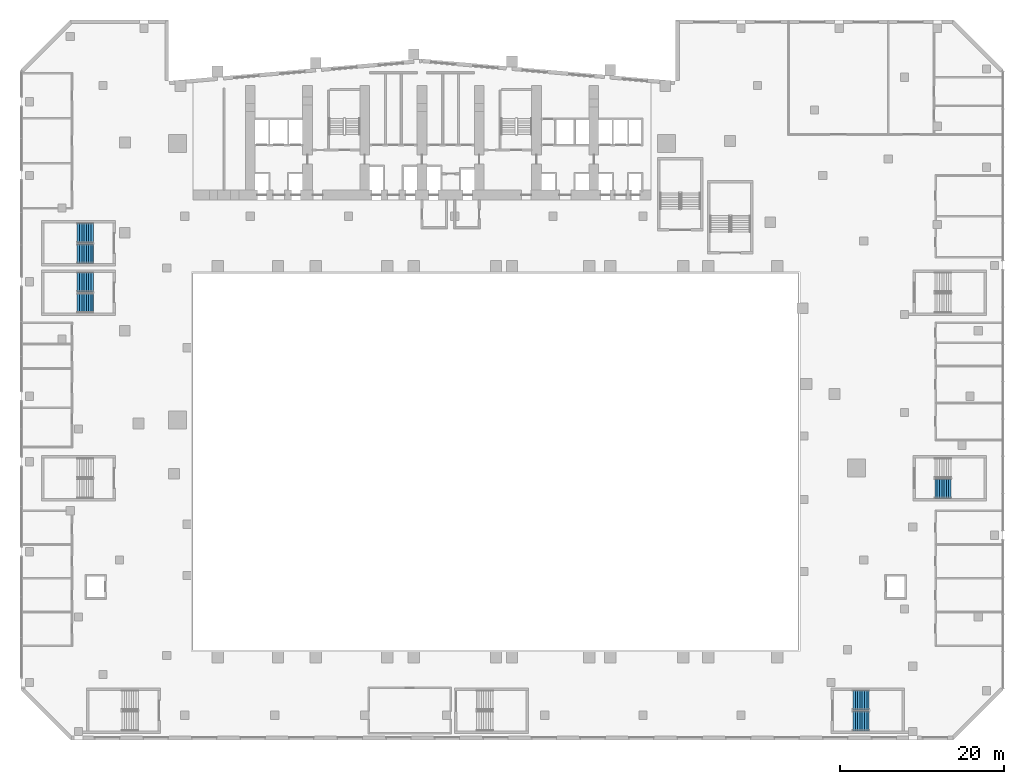
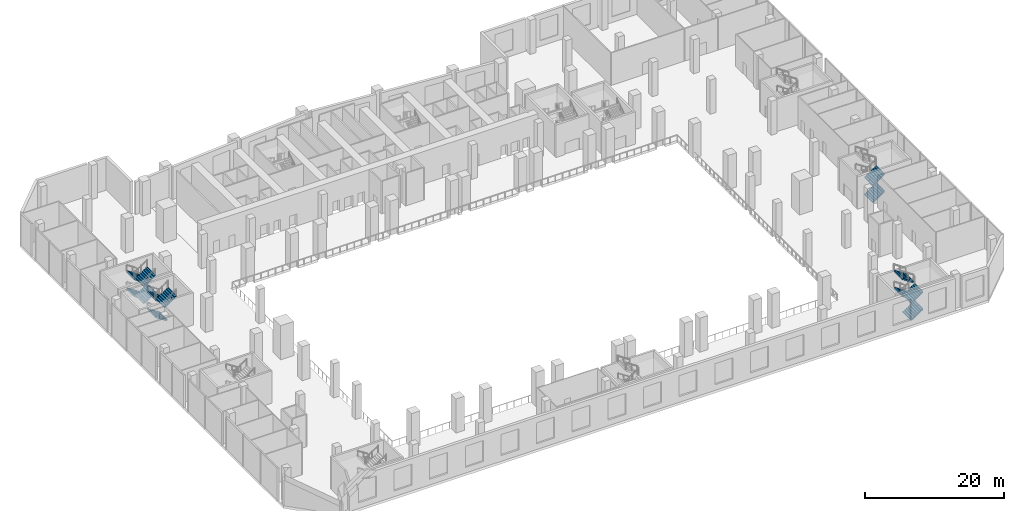
# One storey, part 19 of 30: 13 stair flights, 4 elements without a shape of their own.
"""IFC4 building model written with IfcOpenShell, lengths in metres."""

from ifc_helpers import new_model, si_unit, direction, frame, origin, place, context, subcontext, project, spatial, polyline, outline, extrude, material, type_object, element, aggregate, save


model = new_model("IFC4")

# Units and contexts
model_context = context("Model", 3, precision=1e-05, world=origin(), true_north=direction((0.0, 1.0)))
body_context = subcontext(model_context, "Body", "Model", "MODEL_VIEW")
ifc_project = project(units=[si_unit("LENGTHUNIT", "METRE"), si_unit("AREAUNIT", "SQUARE_METRE"), si_unit("VOLUMEUNIT", "CUBIC_METRE"), si_unit("PLANEANGLEUNIT", "RADIAN"), si_unit("MASSUNIT", "GRAM", prefix="KILO")], contexts=[model_context])

# Site, building, storey
site_placement = place(None, origin())
site = spatial("IfcSite", under=ifc_project, at=site_placement, CompositionType="ELEMENT")
building_placement = place(site_placement, origin())
building = spatial("IfcBuilding", under=site, at=building_placement, Name="Wharfspan Tower", CompositionType="ELEMENT")
storey_placement = place(building_placement, frame((0.0, 0.0, 21.5)))
storey = spatial("IfcBuildingStorey", under=building, at=storey_placement, Name="L03", CompositionType="ELEMENT", Elevation=21.5)

# Stair, stair flights
ifc_material = material(Name="Concrete C40/50", Category="concrete")
stair_type = type_object("IfcStairType", Name="Half-turn stair 2400 wide 32 risers 188 mm", PredefinedType="HALF_TURN_STAIR", material=ifc_material)
stair_1_placement = place(storey_placement, origin())
stair_1 = element("IfcStair", 1, at=stair_1_placement, inside=storey, type_object=stair_type, Name="L03 stair AS2", PredefinedType="HALF_TURN_STAIR")
stair_flight_type = type_object("IfcStairFlightType", Name="Stair flight 2400 wide 32 risers 188 mm", PredefinedType="STRAIGHT", material=ifc_material)
stair_flight_1_placement = place(storey_placement, frame((89.699951, -29.699951, 0.0), z_axis=(0.0, 0.0, 1.0), x_axis=(1.0, 0.0, 0.0)))
stair_flight_1 = element("IfcStairFlight", 2, at=stair_flight_1_placement, type_object=stair_flight_type, Name="AS2 flight 1", NumberOfRisers=8, NumberOfTreads=7, PredefinedType="STRAIGHT", RiserHeight=0.1875, TreadLength=0.28, context=body_context, shape_type="SweptSolid", body=[
    extrude(outline(polyline([(-0.011963, 0.0), (-0.011963, 0.1875), (0.0, 0.1875), (0.280029, 0.1875), (0.280029, 0.375), (0.560059, 0.375), (0.560059, 0.5625), (0.840088, 0.5625), (0.840088, 0.75), (1.120117, 0.75), (1.120117, 0.9375), (1.399902, 0.9375), (1.399902, 1.125), (1.679932, 1.125), (1.679932, 1.3125), (1.959961, 1.3125), (1.971924, 1.5), (1.971924, 1.13208), (0.269531, 0.0), (-0.011963, 0.0)])), frame((0.0, 1.199951, 0.0), z_axis=(0.0, -1.0, 0.0), x_axis=(1.0, 0.0, 0.0)), (0.0, 0.0, 1.0), 1.179443),
    extrude(outline(polyline([(-0.011963, 0.0), (-0.011963, 0.1875), (0.0, 0.1875), (0.280029, 0.1875), (0.280029, 0.375), (0.560059, 0.375), (0.560059, 0.5625), (0.840088, 0.5625), (0.840088, 0.75), (1.120117, 0.75), (1.120117, 0.9375), (1.399902, 0.9375), (1.399902, 1.125), (1.679932, 1.125), (1.679932, 1.3125), (1.959961, 1.3125), (1.971924, 1.5), (1.971924, 1.13208), (0.269531, 0.0), (-0.011963, 0.0)])), frame((0.0, 0.019531, 0.0), z_axis=(0.0, -1.0, 0.0), x_axis=(1.0, 0.0, 0.0)), (0.0, 0.0, 1.0), 0.019043),
    extrude(outline(polyline([(-0.011963, 0.0), (-0.011963, 0.1875), (0.0, 0.1875), (0.280029, 0.1875), (0.280029, 0.375), (0.560059, 0.375), (0.560059, 0.5625), (0.840088, 0.5625), (0.840088, 0.75), (1.120117, 0.75), (1.120117, 0.9375), (1.399902, 0.9375), (1.399902, 1.125), (1.679932, 1.125), (1.679932, 1.3125), (1.959961, 1.3125), (1.971924, 1.5), (1.971924, 1.13208), (0.269531, 0.0), (-0.011963, 0.0)])), frame((0.0, -0.000488, 0.0), z_axis=(0.0, -1.0, 0.0), x_axis=(1.0, 0.0, 0.0)), (0.0, 0.0, 1.0), 0.019043),
    extrude(outline(polyline([(-0.011963, 0.0), (-0.011963, 0.1875), (0.0, 0.1875), (0.280029, 0.1875), (0.280029, 0.375), (0.560059, 0.375), (0.560059, 0.5625), (0.840088, 0.5625), (0.840088, 0.75), (1.120117, 0.75), (1.120117, 0.9375), (1.399902, 0.9375), (1.399902, 1.125), (1.679932, 1.125), (1.679932, 1.3125), (1.959961, 1.3125), (1.971924, 1.5), (1.971924, 1.13208), (0.269531, 0.0), (-0.011963, 0.0)])), frame((0.0, -0.020508, 0.0), z_axis=(0.0, -1.0, 0.0), x_axis=(1.0, 0.0, 0.0)), (0.0, 0.0, 1.0), 1.179443),
])
stair_flight_2_placement = place(storey_placement, frame((91.659912, -27.149902, 1.5), z_axis=(0.0, 0.0, 1.0), x_axis=(-1.0, 0.0, 0.0)))
stair_flight_2 = element("IfcStairFlight", 3, at=stair_flight_2_placement, type_object=stair_flight_type, Name="AS2 flight 2", NumberOfRisers=8, NumberOfTreads=7, PredefinedType="STRAIGHT", RiserHeight=0.1875, TreadLength=0.28, context=body_context, shape_type="SweptSolid", body=[
    extrude(outline(polyline([(-0.011963, 0.0), (-0.011963, 0.1875), (0.0, 0.1875), (0.280029, 0.1875), (0.280029, 0.375), (0.560059, 0.375), (0.560059, 0.5625), (0.840088, 0.5625), (0.840088, 0.75), (1.120117, 0.75), (1.120117, 0.9375), (1.399902, 0.9375), (1.399902, 1.125), (1.679932, 1.125), (1.679932, 1.3125), (1.959961, 1.3125), (1.971924, 1.5), (1.971924, 1.13208), (0.269531, 0.0), (-0.011963, 0.0)])), frame((0.0, 1.199951, 0.0), z_axis=(0.0, -1.0, 0.0), x_axis=(1.0, 0.0, 0.0)), (0.0, 0.0, 1.0), 1.179443),
    extrude(outline(polyline([(-0.011963, 0.0), (-0.011963, 0.1875), (0.0, 0.1875), (0.280029, 0.1875), (0.280029, 0.375), (0.560059, 0.375), (0.560059, 0.5625), (0.840088, 0.5625), (0.840088, 0.75), (1.120117, 0.75), (1.120117, 0.9375), (1.399902, 0.9375), (1.399902, 1.125), (1.679932, 1.125), (1.679932, 1.3125), (1.959961, 1.3125), (1.971924, 1.5), (1.971924, 1.13208), (0.269531, 0.0), (-0.011963, 0.0)])), frame((0.0, 0.019531, 0.0), z_axis=(0.0, -1.0, 0.0), x_axis=(1.0, 0.0, 0.0)), (0.0, 0.0, 1.0), 0.019043),
    extrude(outline(polyline([(-0.011963, 0.0), (-0.011963, 0.1875), (0.0, 0.1875), (0.280029, 0.1875), (0.280029, 0.375), (0.560059, 0.375), (0.560059, 0.5625), (0.840088, 0.5625), (0.840088, 0.75), (1.120117, 0.75), (1.120117, 0.9375), (1.399902, 0.9375), (1.399902, 1.125), (1.679932, 1.125), (1.679932, 1.3125), (1.959961, 1.3125), (1.971924, 1.5), (1.971924, 1.13208), (0.269531, 0.0), (-0.011963, 0.0)])), frame((0.0, -0.000488, 0.0), z_axis=(0.0, -1.0, 0.0), x_axis=(1.0, 0.0, 0.0)), (0.0, 0.0, 1.0), 0.019043),
    extrude(outline(polyline([(-0.011963, 0.0), (-0.011963, 0.1875), (0.0, 0.1875), (0.280029, 0.1875), (0.280029, 0.375), (0.560059, 0.375), (0.560059, 0.5625), (0.840088, 0.5625), (0.840088, 0.75), (1.120117, 0.75), (1.120117, 0.9375), (1.399902, 0.9375), (1.399902, 1.125), (1.679932, 1.125), (1.679932, 1.3125), (1.959961, 1.3125), (1.971924, 1.5), (1.971924, 1.13208), (0.269531, 0.0), (-0.011963, 0.0)])), frame((0.0, -0.020508, 0.0), z_axis=(0.0, -1.0, 0.0), x_axis=(1.0, 0.0, 0.0)), (0.0, 0.0, 1.0), 1.179443),
])
stair_flight_3_placement = place(storey_placement, frame((89.699951, -29.699951, 3.0), z_axis=(0.0, 0.0, 1.0), x_axis=(1.0, 0.0, 0.0)))
stair_flight_3 = element("IfcStairFlight", 4, at=stair_flight_3_placement, type_object=stair_flight_type, Name="AS2 flight 3", NumberOfRisers=8, NumberOfTreads=7, PredefinedType="STRAIGHT", RiserHeight=0.1875, TreadLength=0.28, context=body_context, shape_type="SweptSolid", body=[
    extrude(outline(polyline([(-0.011963, 0.0), (-0.011963, 0.1875), (0.0, 0.1875), (0.280029, 0.1875), (0.280029, 0.375), (0.560059, 0.375), (0.560059, 0.5625), (0.840088, 0.5625), (0.840088, 0.75), (1.120117, 0.75), (1.120117, 0.9375), (1.399902, 0.9375), (1.399902, 1.125), (1.679932, 1.125), (1.679932, 1.3125), (1.959961, 1.3125), (1.971924, 1.5), (1.971924, 1.13208), (0.269531, 0.0), (-0.011963, 0.0)])), frame((0.0, 1.199951, 0.0), z_axis=(0.0, -1.0, 0.0), x_axis=(1.0, 0.0, 0.0)), (0.0, 0.0, 1.0), 1.179443),
    extrude(outline(polyline([(-0.011963, 0.0), (-0.011963, 0.1875), (0.0, 0.1875), (0.280029, 0.1875), (0.280029, 0.375), (0.560059, 0.375), (0.560059, 0.5625), (0.840088, 0.5625), (0.840088, 0.75), (1.120117, 0.75), (1.120117, 0.9375), (1.399902, 0.9375), (1.399902, 1.125), (1.679932, 1.125), (1.679932, 1.3125), (1.959961, 1.3125), (1.971924, 1.5), (1.971924, 1.13208), (0.269531, 0.0), (-0.011963, 0.0)])), frame((0.0, 0.019531, 0.0), z_axis=(0.0, -1.0, 0.0), x_axis=(1.0, 0.0, 0.0)), (0.0, 0.0, 1.0), 0.019043),
    extrude(outline(polyline([(-0.011963, 0.0), (-0.011963, 0.1875), (0.0, 0.1875), (0.280029, 0.1875), (0.280029, 0.375), (0.560059, 0.375), (0.560059, 0.5625), (0.840088, 0.5625), (0.840088, 0.75), (1.120117, 0.75), (1.120117, 0.9375), (1.399902, 0.9375), (1.399902, 1.125), (1.679932, 1.125), (1.679932, 1.3125), (1.959961, 1.3125), (1.971924, 1.5), (1.971924, 1.13208), (0.269531, 0.0), (-0.011963, 0.0)])), frame((0.0, -0.000488, 0.0), z_axis=(0.0, -1.0, 0.0), x_axis=(1.0, 0.0, 0.0)), (0.0, 0.0, 1.0), 0.019043),
    extrude(outline(polyline([(-0.011963, 0.0), (-0.011963, 0.1875), (0.0, 0.1875), (0.280029, 0.1875), (0.280029, 0.375), (0.560059, 0.375), (0.560059, 0.5625), (0.840088, 0.5625), (0.840088, 0.75), (1.120117, 0.75), (1.120117, 0.9375), (1.399902, 0.9375), (1.399902, 1.125), (1.679932, 1.125), (1.679932, 1.3125), (1.959961, 1.3125), (1.971924, 1.5), (1.971924, 1.13208), (0.269531, 0.0), (-0.011963, 0.0)])), frame((0.0, -0.020508, 0.0), z_axis=(0.0, -1.0, 0.0), x_axis=(1.0, 0.0, 0.0)), (0.0, 0.0, 1.0), 1.179443),
])
stair_flight_4_placement = place(storey_placement, frame((91.659912, -27.149902, 4.5), z_axis=(0.0, 0.0, 1.0), x_axis=(-1.0, 0.0, 0.0)))
stair_flight_4 = element("IfcStairFlight", 5, at=stair_flight_4_placement, type_object=stair_flight_type, Name="AS2 flight 4", NumberOfRisers=8, NumberOfTreads=7, PredefinedType="STRAIGHT", RiserHeight=0.1875, TreadLength=0.28, context=body_context, shape_type="SweptSolid", body=[
    extrude(outline(polyline([(-0.011963, 0.0), (-0.011963, 0.1875), (0.0, 0.1875), (0.280029, 0.1875), (0.280029, 0.375), (0.560059, 0.375), (0.560059, 0.5625), (0.840088, 0.5625), (0.840088, 0.75), (1.120117, 0.75), (1.120117, 0.9375), (1.399902, 0.9375), (1.399902, 1.125), (1.679932, 1.125), (1.679932, 1.3125), (1.959961, 1.3125), (1.971924, 1.5), (1.971924, 1.13208), (0.269531, 0.0), (-0.011963, 0.0)])), frame((0.0, 1.199951, 0.0), z_axis=(0.0, -1.0, 0.0), x_axis=(1.0, 0.0, 0.0)), (0.0, 0.0, 1.0), 1.179443),
    extrude(outline(polyline([(-0.011963, 0.0), (-0.011963, 0.1875), (0.0, 0.1875), (0.280029, 0.1875), (0.280029, 0.375), (0.560059, 0.375), (0.560059, 0.5625), (0.840088, 0.5625), (0.840088, 0.75), (1.120117, 0.75), (1.120117, 0.9375), (1.399902, 0.9375), (1.399902, 1.125), (1.679932, 1.125), (1.679932, 1.3125), (1.959961, 1.3125), (1.971924, 1.5), (1.971924, 1.13208), (0.269531, 0.0), (-0.011963, 0.0)])), frame((0.0, 0.019531, 0.0), z_axis=(0.0, -1.0, 0.0), x_axis=(1.0, 0.0, 0.0)), (0.0, 0.0, 1.0), 0.019043),
    extrude(outline(polyline([(-0.011963, 0.0), (-0.011963, 0.1875), (0.0, 0.1875), (0.280029, 0.1875), (0.280029, 0.375), (0.560059, 0.375), (0.560059, 0.5625), (0.840088, 0.5625), (0.840088, 0.75), (1.120117, 0.75), (1.120117, 0.9375), (1.399902, 0.9375), (1.399902, 1.125), (1.679932, 1.125), (1.679932, 1.3125), (1.959961, 1.3125), (1.971924, 1.5), (1.971924, 1.13208), (0.269531, 0.0), (-0.011963, 0.0)])), frame((0.0, -0.000488, 0.0), z_axis=(0.0, -1.0, 0.0), x_axis=(1.0, 0.0, 0.0)), (0.0, 0.0, 1.0), 0.019043),
    extrude(outline(polyline([(-0.011963, 0.0), (-0.011963, 0.1875), (0.0, 0.1875), (0.280029, 0.1875), (0.280029, 0.375), (0.560059, 0.375), (0.560059, 0.5625), (0.840088, 0.5625), (0.840088, 0.75), (1.120117, 0.75), (1.120117, 0.9375), (1.399902, 0.9375), (1.399902, 1.125), (1.679932, 1.125), (1.679932, 1.3125), (1.959961, 1.3125), (1.971924, 1.5), (1.971924, 1.13208), (0.269531, 0.0), (-0.011963, 0.0)])), frame((0.0, -0.020508, 0.0), z_axis=(0.0, -1.0, 0.0), x_axis=(1.0, 0.0, 0.0)), (0.0, 0.0, 1.0), 1.179443),
])
aggregate(stair_1, [stair_flight_1, stair_flight_2, stair_flight_3, stair_flight_4])

stair_2_placement = place(storey_placement, origin())
stair_2 = element("IfcStair", 6, at=stair_2_placement, inside=storey, type_object=stair_type, Name="L03 stair AS8", PredefinedType="HALF_TURN_STAIR")
stair_flight_5_placement = place(storey_placement, frame((99.699951, -1.300049, 0.0), z_axis=(0.0, 0.0, 1.0), x_axis=(1.0, 0.0, 0.0)))
stair_flight_5 = element("IfcStairFlight", 7, at=stair_flight_5_placement, type_object=stair_flight_type, Name="AS8 flight 1", NumberOfRisers=8, NumberOfTreads=7, PredefinedType="STRAIGHT", RiserHeight=0.1875, TreadLength=0.28, context=body_context, shape_type="SweptSolid", body=[
    extrude(outline(polyline([(-0.011963, 0.0), (-0.011963, 0.1875), (0.0, 0.1875), (0.280029, 0.1875), (0.280029, 0.375), (0.560059, 0.375), (0.560059, 0.5625), (0.840088, 0.5625), (0.840088, 0.75), (1.120117, 0.75), (1.120117, 0.9375), (1.399902, 0.9375), (1.399902, 1.125), (1.679932, 1.125), (1.679932, 1.3125), (1.959961, 1.3125), (1.971924, 1.5), (1.971924, 1.13208), (0.269531, 0.0), (-0.011963, 0.0)])), frame((0.0, 1.199951, 0.0), z_axis=(0.0, -1.0, 0.0), x_axis=(1.0, 0.0, 0.0)), (0.0, 0.0, 1.0), 1.179443),
    extrude(outline(polyline([(-0.011963, 0.0), (-0.011963, 0.1875), (0.0, 0.1875), (0.280029, 0.1875), (0.280029, 0.375), (0.560059, 0.375), (0.560059, 0.5625), (0.840088, 0.5625), (0.840088, 0.75), (1.120117, 0.75), (1.120117, 0.9375), (1.399902, 0.9375), (1.399902, 1.125), (1.679932, 1.125), (1.679932, 1.3125), (1.959961, 1.3125), (1.971924, 1.5), (1.971924, 1.13208), (0.269531, 0.0), (-0.011963, 0.0)])), frame((0.0, 0.019531, 0.0), z_axis=(0.0, -1.0, 0.0), x_axis=(1.0, 0.0, 0.0)), (0.0, 0.0, 1.0), 0.019043),
    extrude(outline(polyline([(-0.011963, 0.0), (-0.011963, 0.1875), (0.0, 0.1875), (0.280029, 0.1875), (0.280029, 0.375), (0.560059, 0.375), (0.560059, 0.5625), (0.840088, 0.5625), (0.840088, 0.75), (1.120117, 0.75), (1.120117, 0.9375), (1.399902, 0.9375), (1.399902, 1.125), (1.679932, 1.125), (1.679932, 1.3125), (1.959961, 1.3125), (1.971924, 1.5), (1.971924, 1.13208), (0.269531, 0.0), (-0.011963, 0.0)])), frame((0.0, -0.000488, 0.0), z_axis=(0.0, -1.0, 0.0), x_axis=(1.0, 0.0, 0.0)), (0.0, 0.0, 1.0), 0.019043),
    extrude(outline(polyline([(-0.011963, 0.0), (-0.011963, 0.1875), (0.0, 0.1875), (0.280029, 0.1875), (0.280029, 0.375), (0.560059, 0.375), (0.560059, 0.5625), (0.840088, 0.5625), (0.840088, 0.75), (1.120117, 0.75), (1.120117, 0.9375), (1.399902, 0.9375), (1.399902, 1.125), (1.679932, 1.125), (1.679932, 1.3125), (1.959961, 1.3125), (1.971924, 1.5), (1.971924, 1.13208), (0.269531, 0.0), (-0.011963, 0.0)])), frame((0.0, -0.020508, 0.0), z_axis=(0.0, -1.0, 0.0), x_axis=(1.0, 0.0, 0.0)), (0.0, 0.0, 1.0), 1.179443),
])
stair_flight_6_placement = place(storey_placement, frame((99.699951, -1.300049, 3.0), z_axis=(0.0, 0.0, 1.0), x_axis=(1.0, 0.0, 0.0)))
stair_flight_6 = element("IfcStairFlight", 8, at=stair_flight_6_placement, type_object=stair_flight_type, Name="AS8 flight 3", NumberOfRisers=8, NumberOfTreads=7, PredefinedType="STRAIGHT", RiserHeight=0.1875, TreadLength=0.28, context=body_context, shape_type="SweptSolid", body=[
    extrude(outline(polyline([(-0.011963, 0.0), (-0.011963, 0.1875), (0.0, 0.1875), (0.280029, 0.1875), (0.280029, 0.375), (0.560059, 0.375), (0.560059, 0.5625), (0.840088, 0.5625), (0.840088, 0.75), (1.120117, 0.75), (1.120117, 0.9375), (1.399902, 0.9375), (1.399902, 1.125), (1.679932, 1.125), (1.679932, 1.3125), (1.959961, 1.3125), (1.971924, 1.5), (1.971924, 1.13208), (0.269531, 0.0), (-0.011963, 0.0)])), frame((0.0, 1.199951, 0.0), z_axis=(0.0, -1.0, 0.0), x_axis=(1.0, 0.0, 0.0)), (0.0, 0.0, 1.0), 1.179443),
    extrude(outline(polyline([(-0.011963, 0.0), (-0.011963, 0.1875), (0.0, 0.1875), (0.280029, 0.1875), (0.280029, 0.375), (0.560059, 0.375), (0.560059, 0.5625), (0.840088, 0.5625), (0.840088, 0.75), (1.120117, 0.75), (1.120117, 0.9375), (1.399902, 0.9375), (1.399902, 1.125), (1.679932, 1.125), (1.679932, 1.3125), (1.959961, 1.3125), (1.971924, 1.5), (1.971924, 1.13208), (0.269531, 0.0), (-0.011963, 0.0)])), frame((0.0, 0.019531, 0.0), z_axis=(0.0, -1.0, 0.0), x_axis=(1.0, 0.0, 0.0)), (0.0, 0.0, 1.0), 0.019043),
    extrude(outline(polyline([(-0.011963, 0.0), (-0.011963, 0.1875), (0.0, 0.1875), (0.280029, 0.1875), (0.280029, 0.375), (0.560059, 0.375), (0.560059, 0.5625), (0.840088, 0.5625), (0.840088, 0.75), (1.120117, 0.75), (1.120117, 0.9375), (1.399902, 0.9375), (1.399902, 1.125), (1.679932, 1.125), (1.679932, 1.3125), (1.959961, 1.3125), (1.971924, 1.5), (1.971924, 1.13208), (0.269531, 0.0), (-0.011963, 0.0)])), frame((0.0, -0.000488, 0.0), z_axis=(0.0, -1.0, 0.0), x_axis=(1.0, 0.0, 0.0)), (0.0, 0.0, 1.0), 0.019043),
    extrude(outline(polyline([(-0.011963, 0.0), (-0.011963, 0.1875), (0.0, 0.1875), (0.280029, 0.1875), (0.280029, 0.375), (0.560059, 0.375), (0.560059, 0.5625), (0.840088, 0.5625), (0.840088, 0.75), (1.120117, 0.75), (1.120117, 0.9375), (1.399902, 0.9375), (1.399902, 1.125), (1.679932, 1.125), (1.679932, 1.3125), (1.959961, 1.3125), (1.971924, 1.5), (1.971924, 1.13208), (0.269531, 0.0), (-0.011963, 0.0)])), frame((0.0, -0.020508, 0.0), z_axis=(0.0, -1.0, 0.0), x_axis=(1.0, 0.0, 0.0)), (0.0, 0.0, 1.0), 1.179443),
])
aggregate(stair_2, [stair_flight_5, stair_flight_6])

stair_3_placement = place(storey_placement, origin())
stair_3 = element("IfcStair", 9, at=stair_3_placement, inside=storey, type_object=stair_type, Name="L03 stair AS3", PredefinedType="HALF_TURN_STAIR")
stair_flight_7_placement = place(storey_placement, frame((-3.199951, 23.949951, 0.0), z_axis=(0.0, 0.0, 1.0), x_axis=(-1.0, 0.0, 0.0)))
stair_flight_7 = element("IfcStairFlight", 10, at=stair_flight_7_placement, type_object=stair_flight_type, Name="AS3 flight 1", NumberOfRisers=8, NumberOfTreads=7, PredefinedType="STRAIGHT", RiserHeight=0.1875, TreadLength=0.28, context=body_context, shape_type="SweptSolid", body=[
    extrude(outline(polyline([(-0.011963, 0.0), (-0.011963, 0.1875), (0.0, 0.1875), (0.280029, 0.1875), (0.280029, 0.375), (0.560059, 0.375), (0.560059, 0.5625), (0.840088, 0.5625), (0.840088, 0.75), (1.120117, 0.75), (1.120117, 0.9375), (1.399902, 0.9375), (1.399902, 1.125), (1.679932, 1.125), (1.679932, 1.3125), (1.959961, 1.3125), (1.971924, 1.5), (1.971924, 1.13208), (0.269531, 0.0), (-0.011963, 0.0)])), frame((0.0, 1.199951, 0.0), z_axis=(0.0, -1.0, 0.0), x_axis=(1.0, 0.0, 0.0)), (0.0, 0.0, 1.0), 1.179443),
    extrude(outline(polyline([(-0.011963, 0.0), (-0.011963, 0.1875), (0.0, 0.1875), (0.280029, 0.1875), (0.280029, 0.375), (0.560059, 0.375), (0.560059, 0.5625), (0.840088, 0.5625), (0.840088, 0.75), (1.120117, 0.75), (1.120117, 0.9375), (1.399902, 0.9375), (1.399902, 1.125), (1.679932, 1.125), (1.679932, 1.3125), (1.959961, 1.3125), (1.971924, 1.5), (1.971924, 1.13208), (0.269531, 0.0), (-0.011963, 0.0)])), frame((0.0, 0.019531, 0.0), z_axis=(0.0, -1.0, 0.0), x_axis=(1.0, 0.0, 0.0)), (0.0, 0.0, 1.0), 0.019043),
    extrude(outline(polyline([(-0.011963, 0.0), (-0.011963, 0.1875), (0.0, 0.1875), (0.280029, 0.1875), (0.280029, 0.375), (0.560059, 0.375), (0.560059, 0.5625), (0.840088, 0.5625), (0.840088, 0.75), (1.120117, 0.75), (1.120117, 0.9375), (1.399902, 0.9375), (1.399902, 1.125), (1.679932, 1.125), (1.679932, 1.3125), (1.959961, 1.3125), (1.971924, 1.5), (1.971924, 1.13208), (0.269531, 0.0), (-0.011963, 0.0)])), frame((0.0, -0.000488, 0.0), z_axis=(0.0, -1.0, 0.0), x_axis=(1.0, 0.0, 0.0)), (0.0, 0.0, 1.0), 0.019043),
    extrude(outline(polyline([(-0.011963, 0.0), (-0.011963, 0.1875), (0.0, 0.1875), (0.280029, 0.1875), (0.280029, 0.375), (0.560059, 0.375), (0.560059, 0.5625), (0.840088, 0.5625), (0.840088, 0.75), (1.120117, 0.75), (1.120117, 0.9375), (1.399902, 0.9375), (1.399902, 1.125), (1.679932, 1.125), (1.679932, 1.3125), (1.959961, 1.3125), (1.971924, 1.5), (1.971924, 1.13208), (0.269531, 0.0), (-0.011963, 0.0)])), frame((0.0, -0.020508, 0.0), z_axis=(0.0, -1.0, 0.0), x_axis=(1.0, 0.0, 0.0)), (0.0, 0.0, 1.0), 1.179443),
])
stair_flight_8_placement = place(storey_placement, frame((-3.199951, 23.949951, 3.0), z_axis=(0.0, 0.0, 1.0), x_axis=(-1.0, 0.0, 0.0)))
stair_flight_8 = element("IfcStairFlight", 11, at=stair_flight_8_placement, type_object=stair_flight_type, Name="AS3 flight 3", NumberOfRisers=8, NumberOfTreads=7, PredefinedType="STRAIGHT", RiserHeight=0.1875, TreadLength=0.28, context=body_context, shape_type="SweptSolid", body=[
    extrude(outline(polyline([(-0.011963, 0.0), (-0.011963, 0.1875), (0.0, 0.1875), (0.280029, 0.1875), (0.280029, 0.375), (0.560059, 0.375), (0.560059, 0.5625), (0.840088, 0.5625), (0.840088, 0.75), (1.120117, 0.75), (1.120117, 0.9375), (1.399902, 0.9375), (1.399902, 1.125), (1.679932, 1.125), (1.679932, 1.3125), (1.959961, 1.3125), (1.971924, 1.5), (1.971924, 1.13208), (0.269531, 0.0), (-0.011963, 0.0)])), frame((0.0, 1.199951, 0.0), z_axis=(0.0, -1.0, 0.0), x_axis=(1.0, 0.0, 0.0)), (0.0, 0.0, 1.0), 1.179443),
    extrude(outline(polyline([(-0.011963, 0.0), (-0.011963, 0.1875), (0.0, 0.1875), (0.280029, 0.1875), (0.280029, 0.375), (0.560059, 0.375), (0.560059, 0.5625), (0.840088, 0.5625), (0.840088, 0.75), (1.120117, 0.75), (1.120117, 0.9375), (1.399902, 0.9375), (1.399902, 1.125), (1.679932, 1.125), (1.679932, 1.3125), (1.959961, 1.3125), (1.971924, 1.5), (1.971924, 1.13208), (0.269531, 0.0), (-0.011963, 0.0)])), frame((0.0, 0.019531, 0.0), z_axis=(0.0, -1.0, 0.0), x_axis=(1.0, 0.0, 0.0)), (0.0, 0.0, 1.0), 0.019043),
    extrude(outline(polyline([(-0.011963, 0.0), (-0.011963, 0.1875), (0.0, 0.1875), (0.280029, 0.1875), (0.280029, 0.375), (0.560059, 0.375), (0.560059, 0.5625), (0.840088, 0.5625), (0.840088, 0.75), (1.120117, 0.75), (1.120117, 0.9375), (1.399902, 0.9375), (1.399902, 1.125), (1.679932, 1.125), (1.679932, 1.3125), (1.959961, 1.3125), (1.971924, 1.5), (1.971924, 1.13208), (0.269531, 0.0), (-0.011963, 0.0)])), frame((0.0, -0.000488, 0.0), z_axis=(0.0, -1.0, 0.0), x_axis=(1.0, 0.0, 0.0)), (0.0, 0.0, 1.0), 0.019043),
    extrude(outline(polyline([(-0.011963, 0.0), (-0.011963, 0.1875), (0.0, 0.1875), (0.280029, 0.1875), (0.280029, 0.375), (0.560059, 0.375), (0.560059, 0.5625), (0.840088, 0.5625), (0.840088, 0.75), (1.120117, 0.75), (1.120117, 0.9375), (1.399902, 0.9375), (1.399902, 1.125), (1.679932, 1.125), (1.679932, 1.3125), (1.959961, 1.3125), (1.971924, 1.5), (1.971924, 1.13208), (0.269531, 0.0), (-0.011963, 0.0)])), frame((0.0, -0.020508, 0.0), z_axis=(0.0, -1.0, 0.0), x_axis=(1.0, 0.0, 0.0)), (0.0, 0.0, 1.0), 1.179443),
])
stair_flight_9_placement = place(storey_placement, frame((-5.159912, 21.399902, 4.5), z_axis=(0.0, 0.0, 1.0), x_axis=(1.0, 0.0, 0.0)))
stair_flight_9 = element("IfcStairFlight", 12, at=stair_flight_9_placement, type_object=stair_flight_type, Name="AS3 flight 4", NumberOfRisers=8, NumberOfTreads=7, PredefinedType="STRAIGHT", RiserHeight=0.1875, TreadLength=0.28, context=body_context, shape_type="SweptSolid", body=[
    extrude(outline(polyline([(-0.011963, 0.0), (-0.011963, 0.1875), (0.0, 0.1875), (0.280029, 0.1875), (0.280029, 0.375), (0.560059, 0.375), (0.560059, 0.5625), (0.840088, 0.5625), (0.840088, 0.75), (1.120117, 0.75), (1.120117, 0.9375), (1.399902, 0.9375), (1.399902, 1.125), (1.679932, 1.125), (1.679932, 1.3125), (1.959961, 1.3125), (1.971924, 1.5), (1.971924, 1.13208), (0.269531, 0.0), (-0.011963, 0.0)])), frame((0.0, 1.199951, 0.0), z_axis=(0.0, -1.0, 0.0), x_axis=(1.0, 0.0, 0.0)), (0.0, 0.0, 1.0), 1.179443),
    extrude(outline(polyline([(-0.011963, 0.0), (-0.011963, 0.1875), (0.0, 0.1875), (0.280029, 0.1875), (0.280029, 0.375), (0.560059, 0.375), (0.560059, 0.5625), (0.840088, 0.5625), (0.840088, 0.75), (1.120117, 0.75), (1.120117, 0.9375), (1.399902, 0.9375), (1.399902, 1.125), (1.679932, 1.125), (1.679932, 1.3125), (1.959961, 1.3125), (1.971924, 1.5), (1.971924, 1.13208), (0.269531, 0.0), (-0.011963, 0.0)])), frame((0.0, 0.019531, 0.0), z_axis=(0.0, -1.0, 0.0), x_axis=(1.0, 0.0, 0.0)), (0.0, 0.0, 1.0), 0.019043),
    extrude(outline(polyline([(-0.011963, 0.0), (-0.011963, 0.1875), (0.0, 0.1875), (0.280029, 0.1875), (0.280029, 0.375), (0.560059, 0.375), (0.560059, 0.5625), (0.840088, 0.5625), (0.840088, 0.75), (1.120117, 0.75), (1.120117, 0.9375), (1.399902, 0.9375), (1.399902, 1.125), (1.679932, 1.125), (1.679932, 1.3125), (1.959961, 1.3125), (1.971924, 1.5), (1.971924, 1.13208), (0.269531, 0.0), (-0.011963, 0.0)])), frame((0.0, -0.000488, 0.0), z_axis=(0.0, -1.0, 0.0), x_axis=(1.0, 0.0, 0.0)), (0.0, 0.0, 1.0), 0.019043),
    extrude(outline(polyline([(-0.011963, 0.0), (-0.011963, 0.1875), (0.0, 0.1875), (0.280029, 0.1875), (0.280029, 0.375), (0.560059, 0.375), (0.560059, 0.5625), (0.840088, 0.5625), (0.840088, 0.75), (1.120117, 0.75), (1.120117, 0.9375), (1.399902, 0.9375), (1.399902, 1.125), (1.679932, 1.125), (1.679932, 1.3125), (1.959961, 1.3125), (1.971924, 1.5), (1.971924, 1.13208), (0.269531, 0.0), (-0.011963, 0.0)])), frame((0.0, -0.020508, 0.0), z_axis=(0.0, -1.0, 0.0), x_axis=(1.0, 0.0, 0.0)), (0.0, 0.0, 1.0), 1.179443),
])
aggregate(stair_3, [stair_flight_7, stair_flight_8, stair_flight_9])

stair_4_placement = place(storey_placement, origin())
stair_4 = element("IfcStair", 13, at=stair_4_placement, inside=storey, type_object=stair_type, Name="L03 stair PS3", PredefinedType="HALF_TURN_STAIR")
stair_flight_10_placement = place(storey_placement, frame((-3.199951, 29.975098, 0.0), z_axis=(0.0, 0.0, 1.0), x_axis=(-1.0, 0.0, 0.0)))
stair_flight_10 = element("IfcStairFlight", 14, at=stair_flight_10_placement, type_object=stair_flight_type, Name="PS3 flight 1", NumberOfRisers=8, NumberOfTreads=7, PredefinedType="STRAIGHT", RiserHeight=0.1875, TreadLength=0.28, context=body_context, shape_type="SweptSolid", body=[
    extrude(outline(polyline([(-0.011963, 0.0), (-0.011963, 0.1875), (0.0, 0.1875), (0.280029, 0.1875), (0.280029, 0.375), (0.560059, 0.375), (0.560059, 0.5625), (0.840088, 0.5625), (0.840088, 0.75), (1.120117, 0.75), (1.120117, 0.9375), (1.399902, 0.9375), (1.399902, 1.125), (1.679932, 1.125), (1.679932, 1.3125), (1.959961, 1.3125), (1.971924, 1.5), (1.971924, 1.13208), (0.269531, 0.0), (-0.011963, 0.0)])), frame((0.0, 1.199951, 0.0), z_axis=(0.0, -1.0, 0.0), x_axis=(1.0, 0.0, 0.0)), (0.0, 0.0, 1.0), 1.179443),
    extrude(outline(polyline([(-0.011963, 0.0), (-0.011963, 0.1875), (0.0, 0.1875), (0.280029, 0.1875), (0.280029, 0.375), (0.560059, 0.375), (0.560059, 0.5625), (0.840088, 0.5625), (0.840088, 0.75), (1.120117, 0.75), (1.120117, 0.9375), (1.399902, 0.9375), (1.399902, 1.125), (1.679932, 1.125), (1.679932, 1.3125), (1.959961, 1.3125), (1.971924, 1.5), (1.971924, 1.13208), (0.269531, 0.0), (-0.011963, 0.0)])), frame((0.0, 0.019531, 0.0), z_axis=(0.0, -1.0, 0.0), x_axis=(1.0, 0.0, 0.0)), (0.0, 0.0, 1.0), 0.019043),
    extrude(outline(polyline([(-0.011963, 0.0), (-0.011963, 0.1875), (0.0, 0.1875), (0.280029, 0.1875), (0.280029, 0.375), (0.560059, 0.375), (0.560059, 0.5625), (0.840088, 0.5625), (0.840088, 0.75), (1.120117, 0.75), (1.120117, 0.9375), (1.399902, 0.9375), (1.399902, 1.125), (1.679932, 1.125), (1.679932, 1.3125), (1.959961, 1.3125), (1.971924, 1.5), (1.971924, 1.13208), (0.269531, 0.0), (-0.011963, 0.0)])), frame((0.0, -0.000488, 0.0), z_axis=(0.0, -1.0, 0.0), x_axis=(1.0, 0.0, 0.0)), (0.0, 0.0, 1.0), 0.019043),
    extrude(outline(polyline([(-0.011963, 0.0), (-0.011963, 0.1875), (0.0, 0.1875), (0.280029, 0.1875), (0.280029, 0.375), (0.560059, 0.375), (0.560059, 0.5625), (0.840088, 0.5625), (0.840088, 0.75), (1.120117, 0.75), (1.120117, 0.9375), (1.399902, 0.9375), (1.399902, 1.125), (1.679932, 1.125), (1.679932, 1.3125), (1.959961, 1.3125), (1.971924, 1.5), (1.971924, 1.13208), (0.269531, 0.0), (-0.011963, 0.0)])), frame((0.0, -0.020508, 0.0), z_axis=(0.0, -1.0, 0.0), x_axis=(1.0, 0.0, 0.0)), (0.0, 0.0, 1.0), 1.179443),
])
stair_flight_11_placement = place(storey_placement, frame((-5.159912, 27.425049, 1.5), z_axis=(0.0, 0.0, 1.0), x_axis=(1.0, 0.0, 0.0)))
stair_flight_11 = element("IfcStairFlight", 15, at=stair_flight_11_placement, type_object=stair_flight_type, Name="PS3 flight 2", NumberOfRisers=8, NumberOfTreads=7, PredefinedType="STRAIGHT", RiserHeight=0.1875, TreadLength=0.28, context=body_context, shape_type="SweptSolid", body=[
    extrude(outline(polyline([(-0.011963, 0.0), (-0.011963, 0.1875), (0.0, 0.1875), (0.280029, 0.1875), (0.280029, 0.375), (0.560059, 0.375), (0.560059, 0.5625), (0.840088, 0.5625), (0.840088, 0.75), (1.120117, 0.75), (1.120117, 0.9375), (1.399902, 0.9375), (1.399902, 1.125), (1.679932, 1.125), (1.679932, 1.3125), (1.959961, 1.3125), (1.971924, 1.5), (1.971924, 1.13208), (0.269531, 0.0), (-0.011963, 0.0)])), frame((0.0, 1.199951, 0.0), z_axis=(0.0, -1.0, 0.0), x_axis=(1.0, 0.0, 0.0)), (0.0, 0.0, 1.0), 1.179443),
    extrude(outline(polyline([(-0.011963, 0.0), (-0.011963, 0.1875), (0.0, 0.1875), (0.280029, 0.1875), (0.280029, 0.375), (0.560059, 0.375), (0.560059, 0.5625), (0.840088, 0.5625), (0.840088, 0.75), (1.120117, 0.75), (1.120117, 0.9375), (1.399902, 0.9375), (1.399902, 1.125), (1.679932, 1.125), (1.679932, 1.3125), (1.959961, 1.3125), (1.971924, 1.5), (1.971924, 1.13208), (0.269531, 0.0), (-0.011963, 0.0)])), frame((0.0, 0.019531, 0.0), z_axis=(0.0, -1.0, 0.0), x_axis=(1.0, 0.0, 0.0)), (0.0, 0.0, 1.0), 0.019043),
    extrude(outline(polyline([(-0.011963, 0.0), (-0.011963, 0.1875), (0.0, 0.1875), (0.280029, 0.1875), (0.280029, 0.375), (0.560059, 0.375), (0.560059, 0.5625), (0.840088, 0.5625), (0.840088, 0.75), (1.120117, 0.75), (1.120117, 0.9375), (1.399902, 0.9375), (1.399902, 1.125), (1.679932, 1.125), (1.679932, 1.3125), (1.959961, 1.3125), (1.971924, 1.5), (1.971924, 1.13208), (0.269531, 0.0), (-0.011963, 0.0)])), frame((0.0, -0.000488, 0.0), z_axis=(0.0, -1.0, 0.0), x_axis=(1.0, 0.0, 0.0)), (0.0, 0.0, 1.0), 0.019043),
    extrude(outline(polyline([(-0.011963, 0.0), (-0.011963, 0.1875), (0.0, 0.1875), (0.280029, 0.1875), (0.280029, 0.375), (0.560059, 0.375), (0.560059, 0.5625), (0.840088, 0.5625), (0.840088, 0.75), (1.120117, 0.75), (1.120117, 0.9375), (1.399902, 0.9375), (1.399902, 1.125), (1.679932, 1.125), (1.679932, 1.3125), (1.959961, 1.3125), (1.971924, 1.5), (1.971924, 1.13208), (0.269531, 0.0), (-0.011963, 0.0)])), frame((0.0, -0.020508, 0.0), z_axis=(0.0, -1.0, 0.0), x_axis=(1.0, 0.0, 0.0)), (0.0, 0.0, 1.0), 1.179443),
])
stair_flight_12_placement = place(storey_placement, frame((-3.199951, 29.975098, 3.0), z_axis=(0.0, 0.0, 1.0), x_axis=(-1.0, 0.0, 0.0)))
stair_flight_12 = element("IfcStairFlight", 16, at=stair_flight_12_placement, type_object=stair_flight_type, Name="PS3 flight 3", NumberOfRisers=8, NumberOfTreads=7, PredefinedType="STRAIGHT", RiserHeight=0.1875, TreadLength=0.28, context=body_context, shape_type="SweptSolid", body=[
    extrude(outline(polyline([(-0.011963, 0.0), (-0.011963, 0.1875), (0.0, 0.1875), (0.280029, 0.1875), (0.280029, 0.375), (0.560059, 0.375), (0.560059, 0.5625), (0.840088, 0.5625), (0.840088, 0.75), (1.120117, 0.75), (1.120117, 0.9375), (1.399902, 0.9375), (1.399902, 1.125), (1.679932, 1.125), (1.679932, 1.3125), (1.959961, 1.3125), (1.971924, 1.5), (1.971924, 1.13208), (0.269531, 0.0), (-0.011963, 0.0)])), frame((0.0, 1.199951, 0.0), z_axis=(0.0, -1.0, 0.0), x_axis=(1.0, 0.0, 0.0)), (0.0, 0.0, 1.0), 1.179443),
    extrude(outline(polyline([(-0.011963, 0.0), (-0.011963, 0.1875), (0.0, 0.1875), (0.280029, 0.1875), (0.280029, 0.375), (0.560059, 0.375), (0.560059, 0.5625), (0.840088, 0.5625), (0.840088, 0.75), (1.120117, 0.75), (1.120117, 0.9375), (1.399902, 0.9375), (1.399902, 1.125), (1.679932, 1.125), (1.679932, 1.3125), (1.959961, 1.3125), (1.971924, 1.5), (1.971924, 1.13208), (0.269531, 0.0), (-0.011963, 0.0)])), frame((0.0, 0.019531, 0.0), z_axis=(0.0, -1.0, 0.0), x_axis=(1.0, 0.0, 0.0)), (0.0, 0.0, 1.0), 0.019043),
    extrude(outline(polyline([(-0.011963, 0.0), (-0.011963, 0.1875), (0.0, 0.1875), (0.280029, 0.1875), (0.280029, 0.375), (0.560059, 0.375), (0.560059, 0.5625), (0.840088, 0.5625), (0.840088, 0.75), (1.120117, 0.75), (1.120117, 0.9375), (1.399902, 0.9375), (1.399902, 1.125), (1.679932, 1.125), (1.679932, 1.3125), (1.959961, 1.3125), (1.971924, 1.5), (1.971924, 1.13208), (0.269531, 0.0), (-0.011963, 0.0)])), frame((0.0, -0.000488, 0.0), z_axis=(0.0, -1.0, 0.0), x_axis=(1.0, 0.0, 0.0)), (0.0, 0.0, 1.0), 0.019043),
    extrude(outline(polyline([(-0.011963, 0.0), (-0.011963, 0.1875), (0.0, 0.1875), (0.280029, 0.1875), (0.280029, 0.375), (0.560059, 0.375), (0.560059, 0.5625), (0.840088, 0.5625), (0.840088, 0.75), (1.120117, 0.75), (1.120117, 0.9375), (1.399902, 0.9375), (1.399902, 1.125), (1.679932, 1.125), (1.679932, 1.3125), (1.959961, 1.3125), (1.971924, 1.5), (1.971924, 1.13208), (0.269531, 0.0), (-0.011963, 0.0)])), frame((0.0, -0.020508, 0.0), z_axis=(0.0, -1.0, 0.0), x_axis=(1.0, 0.0, 0.0)), (0.0, 0.0, 1.0), 1.179443),
])
stair_flight_13_placement = place(storey_placement, frame((-5.159912, 27.425049, 4.5), z_axis=(0.0, 0.0, 1.0), x_axis=(1.0, 0.0, 0.0)))
stair_flight_13 = element("IfcStairFlight", 17, at=stair_flight_13_placement, type_object=stair_flight_type, Name="PS3 flight 4", NumberOfRisers=8, NumberOfTreads=7, PredefinedType="STRAIGHT", RiserHeight=0.1875, TreadLength=0.28, context=body_context, shape_type="SweptSolid", body=[
    extrude(outline(polyline([(-0.011963, 0.0), (-0.011963, 0.1875), (0.0, 0.1875), (0.280029, 0.1875), (0.280029, 0.375), (0.560059, 0.375), (0.560059, 0.5625), (0.840088, 0.5625), (0.840088, 0.75), (1.120117, 0.75), (1.120117, 0.9375), (1.399902, 0.9375), (1.399902, 1.125), (1.679932, 1.125), (1.679932, 1.3125), (1.959961, 1.3125), (1.971924, 1.5), (1.971924, 1.13208), (0.269531, 0.0), (-0.011963, 0.0)])), frame((0.0, 1.199951, 0.0), z_axis=(0.0, -1.0, 0.0), x_axis=(1.0, 0.0, 0.0)), (0.0, 0.0, 1.0), 1.179443),
    extrude(outline(polyline([(-0.011963, 0.0), (-0.011963, 0.1875), (0.0, 0.1875), (0.280029, 0.1875), (0.280029, 0.375), (0.560059, 0.375), (0.560059, 0.5625), (0.840088, 0.5625), (0.840088, 0.75), (1.120117, 0.75), (1.120117, 0.9375), (1.399902, 0.9375), (1.399902, 1.125), (1.679932, 1.125), (1.679932, 1.3125), (1.959961, 1.3125), (1.971924, 1.5), (1.971924, 1.13208), (0.269531, 0.0), (-0.011963, 0.0)])), frame((0.0, 0.019531, 0.0), z_axis=(0.0, -1.0, 0.0), x_axis=(1.0, 0.0, 0.0)), (0.0, 0.0, 1.0), 0.019043),
    extrude(outline(polyline([(-0.011963, 0.0), (-0.011963, 0.1875), (0.0, 0.1875), (0.280029, 0.1875), (0.280029, 0.375), (0.560059, 0.375), (0.560059, 0.5625), (0.840088, 0.5625), (0.840088, 0.75), (1.120117, 0.75), (1.120117, 0.9375), (1.399902, 0.9375), (1.399902, 1.125), (1.679932, 1.125), (1.679932, 1.3125), (1.959961, 1.3125), (1.971924, 1.5), (1.971924, 1.13208), (0.269531, 0.0), (-0.011963, 0.0)])), frame((0.0, -0.000488, 0.0), z_axis=(0.0, -1.0, 0.0), x_axis=(1.0, 0.0, 0.0)), (0.0, 0.0, 1.0), 0.019043),
    extrude(outline(polyline([(-0.011963, 0.0), (-0.011963, 0.1875), (0.0, 0.1875), (0.280029, 0.1875), (0.280029, 0.375), (0.560059, 0.375), (0.560059, 0.5625), (0.840088, 0.5625), (0.840088, 0.75), (1.120117, 0.75), (1.120117, 0.9375), (1.399902, 0.9375), (1.399902, 1.125), (1.679932, 1.125), (1.679932, 1.3125), (1.959961, 1.3125), (1.971924, 1.5), (1.971924, 1.13208), (0.269531, 0.0), (-0.011963, 0.0)])), frame((0.0, -0.020508, 0.0), z_axis=(0.0, -1.0, 0.0), x_axis=(1.0, 0.0, 0.0)), (0.0, 0.0, 1.0), 1.179443),
])
aggregate(stair_4, [stair_flight_10, stair_flight_11, stair_flight_12, stair_flight_13])

save(model, "model.ifc")
